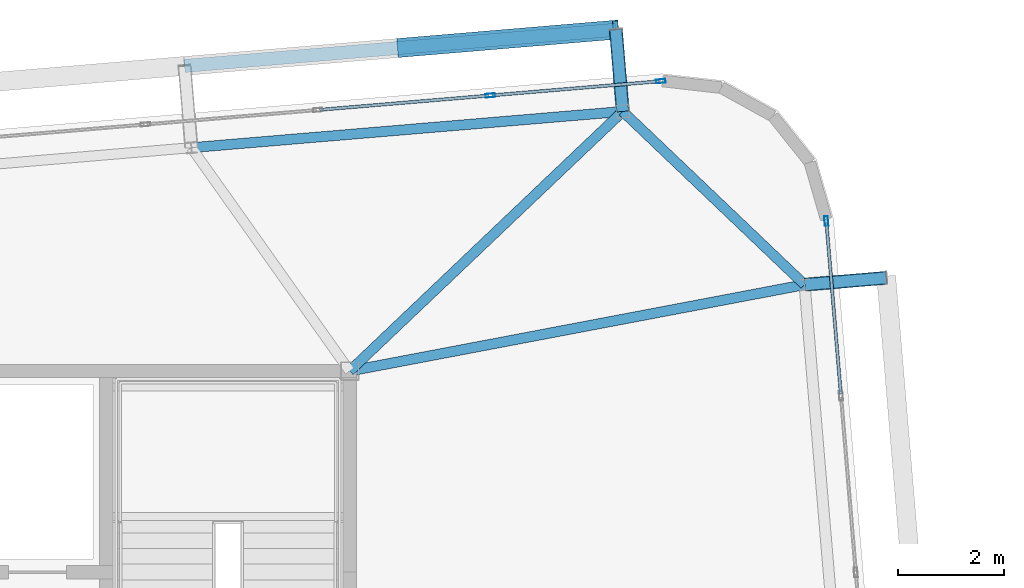
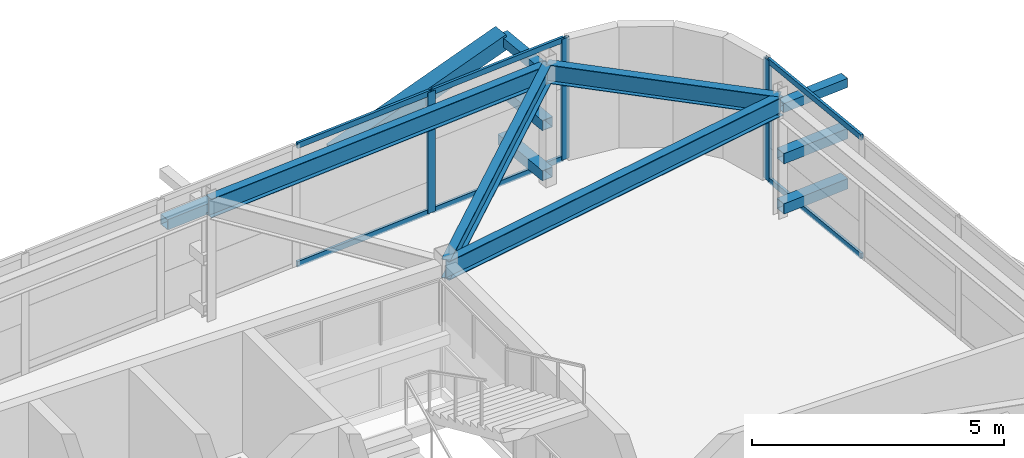
# One storey, part 31 of 46: 17 members, 4 beams, 2 elements without a shape of their own.
"""IFC4 building model written with IfcOpenShell, lengths in metres."""

from ifc_helpers import new_model, si_unit, direction, frame, origin, origin_2d, place, context, subcontext, project, spatial, hollow_rectangle, i_section, extrude, source, transform, mapped, material, layer, layer_set, material_profile, profile_set, type_object, element, aggregate, save


model = new_model("IFC4")

# Units and contexts
model_context = context("Model", 3, precision=1e-05, world=origin(), true_north=direction((0.0, 1.0)))
body_context = subcontext(model_context, "Body", "Model", "MODEL_VIEW")
ifc_project = project(units=[si_unit("LENGTHUNIT", "METRE"), si_unit("AREAUNIT", "SQUARE_METRE"), si_unit("VOLUMEUNIT", "CUBIC_METRE"), si_unit("PLANEANGLEUNIT", "RADIAN"), si_unit("MASSUNIT", "GRAM", prefix="KILO")], contexts=[model_context])

# Site, building, storey
site_placement = place(None, origin())
site = spatial("IfcSite", under=ifc_project, at=site_placement, CompositionType="ELEMENT")
building_placement = place(site_placement, origin())
building = spatial("IfcBuilding", under=site, at=building_placement, Name="Taldren Reach Tower", CompositionType="ELEMENT")
storey_placement = place(building_placement, frame((0.0, 0.0, 185.14990234375)))
storey = spatial("IfcBuildingStorey", under=building, at=storey_placement, Name="L56", CompositionType="ELEMENT", Elevation=185.14990234375)

# Members
ifc_material_1 = material(Name="Steel Gr 350 (C350L0)", Category="steel")
ifc_material_profile_1 = material_profile(ifc_material_1, hollow_rectangle(XDim=0.25, YDim=0.25, WallThickness=0.010009765625, at=origin_2d()), Name="250x250x10.0SHS")
ifc_profile_set_1 = profile_set([ifc_material_profile_1], Name="Steel Gr 350 (C350L0)")
member_type_1 = type_object("IfcMemberType", Name="MB-POST250", PredefinedType="POST", material=ifc_profile_set_1)
shared_shape_1 = source(origin(), body_context, "Body", "SweptSolid", [
    extrude(hollow_rectangle(XDim=0.25, YDim=0.25, WallThickness=0.010009765625, at=origin_2d()), origin(), (0.0, 0.0, 1.0), 1.5498046875),
])
for number, where, z_axis, x_axis, name in (
    (1, (56.160400390625, 36.906005859375, 0.22021484375), (-0.083645141657, 0.996495604746, 0.0), (-0.996495604746, -0.083645141657, 0.0), "Exoskeleton base diaphragm tie strut B4-N6 L56"),
    (2, (56.160400390625, 36.906005859375, 1.43505859375), (-0.083645141657, 0.996495604746, 0.0), (-0.996495604746, -0.083645141657, 0.0), "Exoskeleton mid-tier diaphragm tie B4-N6 L56"),
):
    element("IfcMember", number, at=place(storey_placement, frame(where, z_axis=z_axis, x_axis=x_axis)), inside=storey, type_object=member_type_1, Name=name, PredefinedType="POST", context=body_context, shape_type="MappedRepresentation", body=[
        mapped(shared_shape_1, transform((0.0, 0.0, 0.0), scale=1.0)),
    ])

# Beams
ifc_material_2 = material(Name="Steel Gr 350 (350PLUS)", Category="steel")
ifc_material_profile_2 = material_profile(ifc_material_2, i_section(OverallWidth=0.18994140625, OverallDepth=0.4541015625, WebThickness=0.008544921875, FlangeThickness=0.0126953125, at=origin_2d()), Name="460UB67.1")
ifc_profile_set_2 = profile_set([ifc_material_profile_2], Name="Steel Gr 350 (350PLUS)")
beam_type_1 = type_object("IfcBeamType", Name="SP-UB460B", PredefinedType="SPANDREL", material=ifc_profile_set_2)
shared_shape_2 = source(origin(), body_context, "Body", "SweptSolid", [
    extrude(i_section(OverallWidth=0.18994140625, OverallDepth=0.4541015625, WebThickness=0.008544921875, FlangeThickness=0.0126953125, at=origin_2d()), origin(), (0.0, 0.0, 1.0), 8.18017578125),
])
beam_1_placement = place(storey_placement, frame((56.160400390625, 36.906005859375, 2.703125), z_axis=(-0.996492034688, -0.083687662192, 0.0), x_axis=(0.083687662192, -0.996492034688, 0.0)))
element("IfcBeam", 3, at=beam_1_placement, inside=storey, type_object=beam_type_1, Name="Perimeter spandrel B4 N6-N5 L56", PredefinedType="SPANDREL", context=body_context, shape_type="MappedRepresentation", body=[
    mapped(shared_shape_2, transform((0.0, 0.0, 0.0), scale=1.0)),
])
shared_shape_3 = source(origin(), body_context, "Body", "SweptSolid", [
    extrude(i_section(OverallWidth=0.18994140625, OverallDepth=0.4541015625, WebThickness=0.008544921875, FlangeThickness=0.0126953125, at=origin_2d()), origin(), (0.0, 0.0, 1.0), 4.74609375),
])
beam_2_placement = place(storey_placement, frame((59.596435546875, 33.632080078125, 2.703125), z_axis=(-0.723978879349, 0.689822138132, 0.0), x_axis=(-0.689822138132, -0.723978879349, 0.0)))
element("IfcBeam", 4, at=beam_2_placement, inside=storey, type_object=beam_type_1, Name="Perimeter spandrel B4 E3-N6 L56", PredefinedType="SPANDREL", context=body_context, shape_type="MappedRepresentation", body=[
    mapped(shared_shape_3, transform((0.0, 0.0, 0.0), scale=1.0)),
])
ifc_material_profile_3 = material_profile(ifc_material_2, i_section(OverallWidth=0.19091796875, OverallDepth=0.4599609375, WebThickness=0.010009765625, FlangeThickness=0.01611328125, at=origin_2d()), Name="460UB82.1")
ifc_profile_set_3 = profile_set([ifc_material_profile_3], Name="Steel Gr 350 (350PLUS)")
beam_type_2 = type_object("IfcBeamType", Name="BM-UB460A", PredefinedType="BEAM", material=ifc_profile_set_3)
shared_shape_4 = source(origin(), body_context, "Body", "SweptSolid", [
    extrude(i_section(OverallWidth=0.19091796875, OverallDepth=0.4599609375, WebThickness=0.010009765625, FlangeThickness=0.01611328125, at=origin_2d()), origin(), (0.0, 0.0, 1.0), 8.75),
])
beam_3_placement = place(storey_placement, frame((51.0, 32.0, 2.7001953125), z_axis=(0.982450485799, 0.18652357211, 0.0), x_axis=(-0.18652357211, 0.982450485799, 0.0)))
element("IfcBeam", 5, at=beam_3_placement, inside=storey, type_object=beam_type_2, Name="Primary floor girder B4-E3 L56", PredefinedType="BEAM", context=body_context, shape_type="MappedRepresentation", body=[
    mapped(shared_shape_4, transform((0.0, 0.0, 0.0), scale=1.0)),
])
shared_shape_5 = source(origin(), body_context, "Body", "SweptSolid", [
    extrude(i_section(OverallWidth=0.19091796875, OverallDepth=0.4599609375, WebThickness=0.010009765625, FlangeThickness=0.01611328125, at=origin_2d()), origin(), (0.0, 0.0, 1.0), 7.120361328125),
])
beam_4_placement = place(storey_placement, frame((51.0, 32.0, 2.7001953125), z_axis=(0.724745130454, 0.689017050503, 0.0), x_axis=(-0.689017050503, 0.724745130454, 0.0)))
element("IfcBeam", 6, at=beam_4_placement, inside=storey, type_object=beam_type_2, Name="Primary floor girder B4-N6 L56", PredefinedType="BEAM", context=body_context, shape_type="MappedRepresentation", body=[
    mapped(shared_shape_5, transform((0.0, 0.0, 0.0), scale=1.0)),
])

# Members
ifc_material_3 = material(Name="Steel Gr 450 (C450L0)", Category="steel")
ifc_material_profile_4 = material_profile(ifc_material_3, hollow_rectangle(XDim=0.219970703125, YDim=0.219970703125, WallThickness=0.00830078125, at=origin_2d()), Name="220x220x8.2SHS")
ifc_profile_set_4 = profile_set([ifc_material_profile_4], Name="Steel Gr 450 (C450L0)")
member_type_2 = type_object("IfcMemberType", Name="MB-TIE219", PredefinedType="STRUT", material=ifc_profile_set_4)
shared_shape_6 = source(origin(), body_context, "Body", "SweptSolid", [
    extrude(hollow_rectangle(XDim=0.219970703125, YDim=0.219970703125, WallThickness=0.00830078125, at=origin_2d()), origin(), (0.0, 0.0, 1.0), 1.5498046875),
])
member_1_placement = place(storey_placement, frame((56.160400390625, 36.906005859375, 2.650146484375), z_axis=(-0.083645141657, 0.996495604746, 0.0), x_axis=(-0.996495604746, -0.083645141657, 0.0)))
element("IfcMember", 7, at=member_1_placement, inside=storey, type_object=member_type_2, Name="Exoskeleton diaphragm tie strut B4-N6 L56", PredefinedType="STRUT", context=body_context, shape_type="MappedRepresentation", body=[
    mapped(shared_shape_6, transform((0.0, 0.0, 0.0), scale=1.0)),
])
shared_shape_7 = source(origin(), body_context, "Body", "SweptSolid", [
    extrude(hollow_rectangle(XDim=0.219970703125, YDim=0.219970703125, WallThickness=0.00830078125, at=origin_2d()), origin(), (0.0, 0.0, 1.0), 1.545166015625),
])
member_2_placement = place(storey_placement, frame((59.60107421875, 33.63232421875, 2.650146484375), z_axis=(0.996487766615, 0.083738467783, 0.0), x_axis=(-0.083738467783, 0.996487766615, 0.0)))
element("IfcMember", 8, at=member_2_placement, inside=storey, type_object=member_type_2, Name="Exoskeleton diaphragm tie strut B4-E3 L56", PredefinedType="STRUT", context=body_context, shape_type="MappedRepresentation", body=[
    mapped(shared_shape_7, transform((0.0, 0.0, 0.0), scale=1.0)),
])
shared_shape_8 = source(origin(), body_context, "Body", "SweptSolid", [
    extrude(hollow_rectangle(XDim=0.25, YDim=0.25, WallThickness=0.010009765625, at=origin_2d()), origin(), (0.0, 0.0, 1.0), 8.179931640625),
])
member_3_placement = place(storey_placement, frame((47.87939453125, 37.76611328125, 1.43505859375), z_axis=(0.996494523218, 0.083658025296, 0.0), x_axis=(-0.083658025296, 0.996494523218, 0.0)))
element("IfcMember", 9, at=member_3_placement, inside=storey, type_object=member_type_1, Name="Exoskeleton mid-height ring chord B4-N5 L56", PredefinedType="POST", context=body_context, shape_type="MappedRepresentation", body=[
    mapped(shared_shape_8, transform((0.0, 0.0, 0.0), scale=1.0)),
])
shared_shape_9 = source(origin(), body_context, "Body", "SweptSolid", [
    extrude(hollow_rectangle(XDim=0.25, YDim=0.25, WallThickness=0.010009765625, at=origin_2d()), origin(), (0.0, 0.0, 1.0), 1.545166015625),
])
for number, where, z_axis, x_axis, name in (
    (10, (59.60107421875, 33.63232421875, 0.22021484375), (0.996487766615, 0.083738467783, 0.0), (-0.083738467783, 0.996487766615, 0.0), "Exoskeleton base diaphragm tie strut B4-E3 L56"),
    (11, (59.60107421875, 33.63232421875, 1.43505859375), (0.996487766615, 0.083738467783, 0.0), (-0.083738467783, 0.996487766615, 0.0), "Exoskeleton mid-tier diaphragm tie B4-E3 L56"),
):
    element("IfcMember", number, at=place(storey_placement, frame(where, z_axis=z_axis, x_axis=x_axis)), inside=storey, type_object=member_type_1, Name=name, PredefinedType="POST", context=body_context, shape_type="MappedRepresentation", body=[
        mapped(shared_shape_9, transform((0.0, 0.0, 0.0), scale=1.0)),
    ])
ifc_material_profile_5 = material_profile(ifc_material_3, hollow_rectangle(XDim=0.360107421875, YDim=0.360107421875, WallThickness=0.0126953125, at=origin_2d()), Name="360x360x12.7SHS")
ifc_profile_set_5 = profile_set([ifc_material_profile_5], Name="Steel Gr 450 (C450L0)")
member_type_3 = type_object("IfcMemberType", Name="MB-EXO356", PredefinedType="BRACE", material=ifc_profile_set_5)
shared_shape_10 = source(origin(), body_context, "Body", "SweptSolid", [
    extrude(hollow_rectangle(XDim=0.360107421875, YDim=0.360107421875, WallThickness=0.0126953125, at=origin_2d()), origin(), (0.0, 0.0, 1.0), 4.2666015625),
])
member_4_placement = place(storey_placement, frame((51.955078125, 38.1083984375, 1.43505859375), z_axis=(0.955233542365, 0.080165460216, 0.28478479336), x_axis=(-0.083628388178, 0.996497010879, 0.0)))
element("IfcMember", 12, at=member_4_placement, inside=storey, type_object=member_type_3, Name="Exoskeleton Diagrid Brace B4-N5 L56", PredefinedType="BRACE", context=body_context, shape_type="MappedRepresentation", body=[
    mapped(shared_shape_10, transform((0.0, 0.0, 0.0), scale=1.0)),
])

# Curtain wall, members
ifc_material_4 = material(Name="Aluminium and Low-E Glass Unitised System", Category="aluminium")
ifc_layer = layer(ifc_material_4, 0.159912109375)
ifc_layer_set = layer_set([ifc_layer], Name="Aluminium and Low-E Glass Unitised System")
curtain_wall_type = type_object("IfcCurtainWallType", Name="CW-SYS-5", PredefinedType="NOTDEFINED", material=ifc_layer_set)
curtain_wall_1_placement = place(storey_placement, origin())
curtain_wall_1 = element("IfcCurtainWall", 13, at=curtain_wall_1_placement, inside=storey, type_object=curtain_wall_type, Name="Unitised curtain wall CW-L56-N", PredefinedType="NOTDEFINED")
ifc_material_5 = material(Name="Anodised Aluminium 6063-T6", Category="aluminium")
ifc_material_profile_6 = material_profile(ifc_material_5, hollow_rectangle(XDim=0.070068359375, YDim=0.179931640625, WallThickness=0.00390625, at=origin_2d()), Name="ALU-180x70x4RHS")
ifc_profile_set_6 = profile_set([ifc_material_profile_6], Name="Anodised Aluminium 6063-T6")
member_type_4 = type_object("IfcMemberType", Name="CW-MUL-180", PredefinedType="MULLION", material=ifc_profile_set_6)
shared_shape_11 = source(origin(), body_context, "Body", "SweptSolid", [
    extrude(hollow_rectangle(XDim=0.070068359375, YDim=0.179931640625, WallThickness=0.00390625, at=origin_2d()), origin(), (0.0, 0.0, 1.0), 2.93017578125),
])
member_5_placement = place(storey_placement, frame((56.8798828125, 37.478271484375, 0.0), z_axis=(0.0, 0.0, 1.0), x_axis=(0.083677875247, -0.99649285657, 0.0)))
member_5 = element("IfcMember", 14, at=member_5_placement, type_object=member_type_4, Name="CW-5 mullion 1", PredefinedType="MULLION", context=body_context, shape_type="MappedRepresentation", body=[
    mapped(shared_shape_11, transform((0.0, 0.0, 0.0), scale=1.0)),
])
member_6_placement = place(storey_placement, frame((53.6572265625, 37.20751953125, 0.0), z_axis=(0.0, 0.0, 1.0), x_axis=(0.083677875247, -0.99649285657, 0.0)))
member_6 = element("IfcMember", 15, at=member_6_placement, type_object=member_type_4, Name="CW-5 mullion 2", PredefinedType="MULLION", context=body_context, shape_type="MappedRepresentation", body=[
    mapped(shared_shape_11, transform((0.0, 0.0, 0.0), scale=1.0)),
])

# Curtain wall, member
curtain_wall_2_placement = place(storey_placement, origin())
curtain_wall_2 = element("IfcCurtainWall", 16, at=curtain_wall_2_placement, inside=storey, type_object=curtain_wall_type, Name="Unitised curtain wall CW-L56-E", PredefinedType="NOTDEFINED")
member_7_placement = place(storey_placement, frame((60.007080078125, 34.835693359375, 0.0), z_axis=(0.0, 0.0, 1.0), x_axis=(-0.996492847789, -0.083677979808, 0.0)))
member_7 = element("IfcMember", 17, at=member_7_placement, type_object=member_type_4, Name="CW-5 mullion 9", PredefinedType="MULLION", context=body_context, shape_type="MappedRepresentation", body=[
    mapped(shared_shape_11, transform((0.0, 0.0, 0.0), scale=1.0)),
])

# Member
ifc_material_profile_7 = material_profile(ifc_material_5, hollow_rectangle(XDim=0.06005859375, YDim=0.135009765625, WallThickness=0.00341796875, at=origin_2d()), Name="ALU-135x60x3.5RHS")
ifc_profile_set_7 = profile_set([ifc_material_profile_7], Name="Anodised Aluminium 6063-T6")
member_type_5 = type_object("IfcMemberType", Name="CW-TRN-150", PredefinedType="USERDEFINED", material=ifc_profile_set_7)
shared_shape_12 = source(origin(), body_context, "Body", "SweptSolid", [
    extrude(hollow_rectangle(XDim=0.06005859375, YDim=0.135009765625, WallThickness=0.00341796875, at=origin_2d()), origin(), (0.0, 0.0, 1.0), 3.19921875),
])
member_8_placement = place(storey_placement, frame((53.622314453125, 37.20458984375, 0.030029296875), z_axis=(-0.996496109493, -0.083639128198, 0.0), x_axis=(0.083639128198, -0.996496109493, 0.0)))
member_8 = element("IfcMember", 18, at=member_8_placement, type_object=member_type_5, Name="CW-5 transom 2.1", ObjectType="TRANSOM", PredefinedType="USERDEFINED", context=body_context, shape_type="MappedRepresentation", body=[
    mapped(shared_shape_12, transform((0.0, 0.0, 0.0), scale=1.0)),
])

member_9_placement = place(storey_placement, frame((53.622314453125, 37.20458984375, 2.900146484375), z_axis=(-0.996496109493, -0.083639128198, 0.0), x_axis=(0.083639128198, -0.996496109493, 0.0)))
member_9 = element("IfcMember", 19, at=member_9_placement, type_object=member_type_5, Name="CW-5 transom 2.2", ObjectType="TRANSOM", PredefinedType="USERDEFINED", context=body_context, shape_type="MappedRepresentation", body=[
    mapped(shared_shape_12, transform((0.0, 0.0, 0.0), scale=1.0)),
])

shared_shape_13 = source(origin(), body_context, "Body", "SweptSolid", [
    extrude(hollow_rectangle(XDim=0.06005859375, YDim=0.135009765625, WallThickness=0.00341796875, at=origin_2d()), origin(), (0.0, 0.0, 1.0), 3.164306640625),
])
member_10_placement = place(storey_placement, frame((56.84521484375, 37.475341796875, 0.030029296875), z_axis=(-0.996490200681, -0.083709497347, 0.0), x_axis=(0.083709497347, -0.996490200681, 0.0)))
member_10 = element("IfcMember", 20, at=member_10_placement, type_object=member_type_5, Name="CW-5 transom 1.1", ObjectType="TRANSOM", PredefinedType="USERDEFINED", context=body_context, shape_type="MappedRepresentation", body=[
    mapped(shared_shape_13, transform((0.0, 0.0, 0.0), scale=1.0)),
])

member_11_placement = place(storey_placement, frame((56.84521484375, 37.475341796875, 2.900146484375), z_axis=(-0.996490200681, -0.083709497347, 0.0), x_axis=(0.083709497347, -0.996490200681, 0.0)))
member_11 = element("IfcMember", 21, at=member_11_placement, type_object=member_type_5, Name="CW-5 transom 1.2", ObjectType="TRANSOM", PredefinedType="USERDEFINED", context=body_context, shape_type="MappedRepresentation", body=[
    mapped(shared_shape_13, transform((0.0, 0.0, 0.0), scale=1.0)),
])

aggregate(curtain_wall_1, [member_5, member_6, member_10, member_11, member_8, member_9])

shared_shape_14 = source(origin(), body_context, "Body", "SweptSolid", [
    extrude(hollow_rectangle(XDim=0.06005859375, YDim=0.135009765625, WallThickness=0.00341796875, at=origin_2d()), origin(), (0.0, 0.0, 1.0), 3.2451171875),
])
member_12_placement = place(storey_placement, frame((60.281494140625, 31.567138671875, 0.030029296875), z_axis=(-0.083661876203, 0.996494199918, 0.0), x_axis=(-0.996494199918, -0.083661876203, 0.0)))
member_12 = element("IfcMember", 22, at=member_12_placement, type_object=member_type_5, Name="CW-5 transom 8.1", ObjectType="TRANSOM", PredefinedType="USERDEFINED", context=body_context, shape_type="MappedRepresentation", body=[
    mapped(shared_shape_14, transform((0.0, 0.0, 0.0), scale=1.0)),
])

member_13_placement = place(storey_placement, frame((60.281494140625, 31.567138671875, 2.900146484375), z_axis=(-0.083661876203, 0.996494199918, 0.0), x_axis=(-0.996494199918, -0.083661876203, 0.0)))
member_13 = element("IfcMember", 23, at=member_13_placement, type_object=member_type_5, Name="CW-5 transom 8.2", ObjectType="TRANSOM", PredefinedType="USERDEFINED", context=body_context, shape_type="MappedRepresentation", body=[
    mapped(shared_shape_14, transform((0.0, 0.0, 0.0), scale=1.0)),
])

aggregate(curtain_wall_2, [member_7, member_12, member_13])

save(model, "model.ifc")
